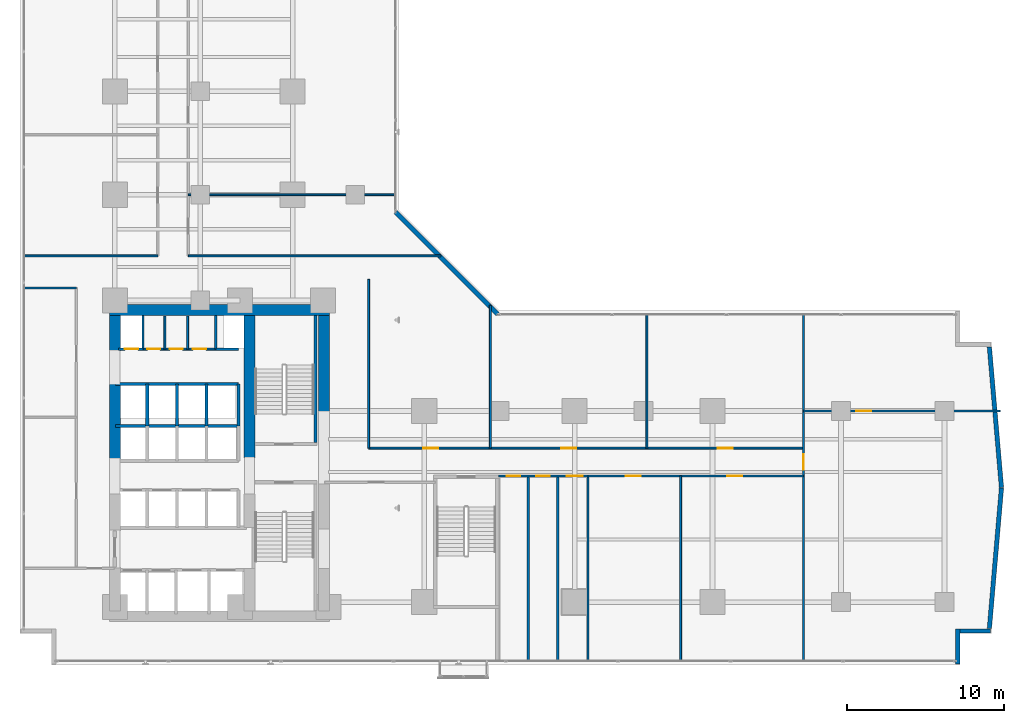
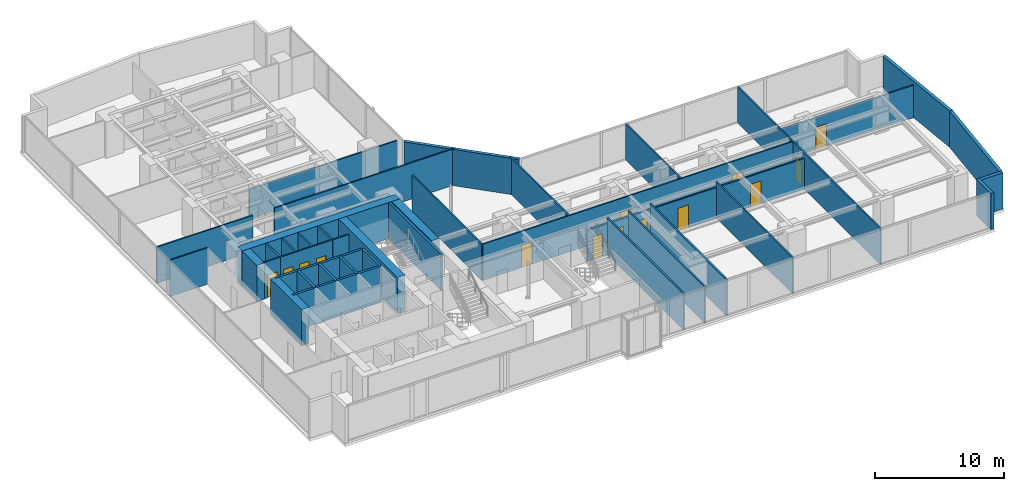
# One storey, part 23 of 28: 40 walls, 14 doors, 14 openings.
"""IFC4 building model written with IfcOpenShell, lengths in metres."""

from ifc_helpers import new_model, si_unit, direction, frame, frame_2d, origin, place, context, subcontext, project, spatial, rectangle, extrude, material, layer, layer_set, type_object, element, fill, save


model = new_model("IFC4")

# Units and contexts
model_context = context("Model", 3, precision=1e-05, world=origin(), true_north=direction((0.0, 1.0)))
body_context = subcontext(model_context, "Body", "Model", "MODEL_VIEW")
ifc_project = project(units=[si_unit("LENGTHUNIT", "METRE"), si_unit("AREAUNIT", "SQUARE_METRE"), si_unit("VOLUMEUNIT", "CUBIC_METRE"), si_unit("PLANEANGLEUNIT", "RADIAN"), si_unit("MASSUNIT", "GRAM", prefix="KILO")], contexts=[model_context])

# Site, building, storey
site_placement = place(None, origin())
site = spatial("IfcSite", under=ifc_project, at=site_placement, CompositionType="ELEMENT")
building_placement = place(site_placement, origin())
building = spatial("IfcBuilding", under=site, at=building_placement, Name="Kolvaren Waterfront Exchange", CompositionType="ELEMENT")
storey_placement = place(building_placement, frame((0.0, 0.0, 79.0)))
storey = spatial("IfcBuildingStorey", under=building, at=storey_placement, Name="L20", CompositionType="ELEMENT", Elevation=79.0)

# Walls
ifc_material_1 = material(Name="Precast concrete C40/50", Category="concrete")
ifc_layer_1 = layer(ifc_material_1, 0.280029296875, Name="Precast concrete C40/50")
ifc_layer_set_1 = layer_set([ifc_layer_1], Name="Precast concrete C40/50")
wall_type_1 = type_object("IfcWallType", Name="ARC-EXT-TERR-280", PredefinedType="SOLIDWALL", material=ifc_layer_set_1)
wall_1_placement = place(storey_placement, frame((61.239990234375, 1.260009765625, 0.0), z_axis=(0.0, 0.0, 1.0), x_axis=(0.0, 1.0, 0.0)))
element("IfcWall", 1, at=wall_1_placement, inside=storey, type_object=wall_type_1, Name="L20 notched corner spandrel pier SE-A", PredefinedType="SOLIDWALL", context=body_context, shape_type="SweptSolid", body=[
    extrude(rectangle(XDim=2.239990234375, YDim=0.280029296875, at=frame_2d((1.1201171875, 0.0))), origin(), (0.0, 0.0, 1.0), 3.419921875),
])
wall_2_placement = place(storey_placement, frame((61.3798828125, 3.360107421875, 0.0), z_axis=(0.0, 0.0, 1.0), x_axis=(1.0, 0.0, 0.0)))
element("IfcWall", 2, at=wall_2_placement, inside=storey, type_object=wall_type_1, Name="L20 notched corner spandrel pier SE-B", PredefinedType="SOLIDWALL", context=body_context, shape_type="SweptSolid", body=[
    extrude(rectangle(XDim=1.960205078125, YDim=0.280029296875, at=frame_2d((0.97998046875, 0.0))), origin(), (0.0, 0.0, 1.0), 3.419921875),
])
wall_3_placement = place(storey_placement, frame((31.885009765625, 23.574951171875, 0.0), z_axis=(0.0, 0.0, 1.0), x_axis=(-0.707106781187, 0.707106781187, 0.0)))
element("IfcWall", 3, at=wall_3_placement, inside=storey, type_object=wall_type_1, Name="L20 notched corner spandrel pier ELBOW", PredefinedType="SOLIDWALL", context=body_context, shape_type="SweptSolid", body=[
    extrude(rectangle(XDim=9.20654296875, YDim=0.280029296875, at=frame_2d((4.603271484375, 0.0))), origin(), (0.0, 0.0, 1.0), 3.419921875),
])
for number, where, z_axis, x_axis, name in (
    (4, (63.266357421875, 3.5126953125, 0.0), (0.0, 0.0, 1.0), (0.085692274626, 0.996321651912, 0.0), "L20 east prow faceted facade wall 1"),
    (5, (64.038818359375, 12.506103515625, 0.0), (0.0, 0.0, 1.0), (-0.085692274626, 0.996321651912, 0.0), "L20 east prow faceted facade wall 2"),
):
    element("IfcWall", number, at=place(storey_placement, frame(where, z_axis=z_axis, x_axis=x_axis)), inside=storey, type_object=wall_type_1, Name=name, PredefinedType="SOLIDWALL", context=body_context, shape_type="SweptSolid", body=[
        extrude(rectangle(XDim=9.014404296875, YDim=0.280029296875, at=frame_2d((4.50732421875, 0.0))), origin(), (0.0, 0.0, 1.0), 3.419921875),
    ])

# Wall, openings, doors
ifc_material_2 = material(Name="Acoustic gypsum steel stud", Category="steel")
ifc_layer_2 = layer(ifc_material_2, 0.125, Name="Acoustic gypsum steel stud")
ifc_layer_set_2 = layer_set([ifc_layer_2], Name="Acoustic gypsum steel stud")
wall_type_2 = type_object("IfcWallType", Name="ARC-PART-125", PredefinedType="PARTITIONING", material=ifc_layer_set_2)
wall_4_placement = place(storey_placement, frame((9.25, 21.35009765625, 0.0), z_axis=(0.0, 0.0, 1.0), x_axis=(1.0, 0.0, 0.0)))
wall_4 = element("IfcWall", 6, at=wall_4_placement, inside=storey, type_object=wall_type_2, Name="L20 interior wall PW-L20-SVC-EX-S", PredefinedType="PARTITIONING", context=body_context, shape_type="SweptSolid", body=[
    extrude(rectangle(XDim=4.64990234375, YDim=0.125, at=frame_2d((2.324951171875, 0.0))), origin(), (0.0, 0.0, 1.0), 3.419921875),
])
opening_1_placement = place(wall_4_placement, frame((0.264892578125, 0.0, 0.0)))
opening_1 = element("IfcOpeningElement", 7, at=opening_1_placement, cuts=wall_4, Name="Opening D01", PredefinedType="OPENING", context=body_context, shape_type="SweptSolid", body=[
    extrude(rectangle(XDim=0.85009765625, YDim=2.14990234375, at=frame_2d((0.425048828125, 1.074951171875))), frame((0.0, 0.072509765625, 0.0), z_axis=(0.0, -1.0, 0.0), x_axis=(1.0, 0.0, 0.0)), (0.0, 0.0, 1.0), 0.14501953125),
])
opening_2_placement = place(wall_4_placement, frame((1.695068359375, 0.0, 0.0)))
opening_2 = element("IfcOpeningElement", 8, at=opening_2_placement, cuts=wall_4, Name="Opening D01", PredefinedType="OPENING", context=body_context, shape_type="SweptSolid", body=[
    extrude(rectangle(XDim=0.85009765625, YDim=2.14990234375, at=frame_2d((0.425048828125, 1.074951171875))), frame((0.0, 0.072509765625, 0.0), z_axis=(0.0, -1.0, 0.0), x_axis=(1.0, 0.0, 0.0)), (0.0, 0.0, 1.0), 0.14501953125),
])
opening_3_placement = place(wall_4_placement, frame((3.18994140625, 0.0, 0.0)))
opening_3 = element("IfcOpeningElement", 9, at=opening_3_placement, cuts=wall_4, Name="Opening D01", PredefinedType="OPENING", context=body_context, shape_type="SweptSolid", body=[
    extrude(rectangle(XDim=0.85009765625, YDim=2.14990234375, at=frame_2d((0.425048828125, 1.074951171875))), frame((0.0, 0.072509765625, 0.0), z_axis=(0.0, -1.0, 0.0), x_axis=(1.0, 0.0, 0.0)), (0.0, 0.0, 1.0), 0.14501953125),
])
ifc_material_3 = material(Name="Oak veneer timber leaf", Category="wood")
door_type_1 = type_object("IfcDoorType", Name="ARC-DR-900", OperationType="NOTDEFINED", PredefinedType="DOOR", material=ifc_material_3)
door_1_placement = place(opening_1_placement, origin())
door_1 = element("IfcDoor", 10, at=door_1_placement, inside=storey, type_object=door_type_1, Name="L20 door DR-L20-SVC-DR-1 (D01)", OperationType="SINGLE_SWING_RIGHT", OverallHeight=2.14990234375, OverallWidth=0.85009765625, PredefinedType="DOOR", context=body_context, shape_type="SweptSolid", body=[
    extrude(rectangle(XDim=0.85009765625, YDim=2.14990234375, at=frame_2d((0.425048828125, 1.074951171875))), frame((0.0, 0.02490234375, 0.0), z_axis=(0.0, -1.0, 0.0), x_axis=(1.0, 0.0, 0.0)), (0.0, 0.0, 1.0), 0.050048828125),
])
fill(opening_1, door_1)
door_2_placement = place(opening_2_placement, origin())
door_2 = element("IfcDoor", 11, at=door_2_placement, inside=storey, type_object=door_type_1, Name="L20 door DR-L20-SVC-DR-2 (D01)", OperationType="SINGLE_SWING_LEFT", OverallHeight=2.14990234375, OverallWidth=0.85009765625, PredefinedType="DOOR", context=body_context, shape_type="SweptSolid", body=[
    extrude(rectangle(XDim=0.85009765625, YDim=2.14990234375, at=frame_2d((0.425048828125, 1.074951171875))), frame((0.0, 0.02490234375, 0.0), z_axis=(0.0, -1.0, 0.0), x_axis=(1.0, 0.0, 0.0)), (0.0, 0.0, 1.0), 0.050048828125),
])
fill(opening_2, door_2)
door_3_placement = place(opening_3_placement, origin())
door_3 = element("IfcDoor", 12, at=door_3_placement, inside=storey, type_object=door_type_1, Name="L20 door DR-L20-SVC-DR-3 (D01)", OperationType="SINGLE_SWING_RIGHT", OverallHeight=2.14990234375, OverallWidth=0.85009765625, PredefinedType="DOOR", context=body_context, shape_type="SweptSolid", body=[
    extrude(rectangle(XDim=0.85009765625, YDim=2.14990234375, at=frame_2d((0.425048828125, 1.074951171875))), frame((0.0, 0.02490234375, 0.0), z_axis=(0.0, -1.0, 0.0), x_axis=(1.0, 0.0, 0.0)), (0.0, 0.0, 1.0), 0.050048828125),
])
fill(opening_3, door_3)

# Walls
for number, where, z_axis, x_axis, name in (
    (13, (10.64990234375, 21.35009765625, 0.0), (0.0, 0.0, 1.0), (0.0, 1.0, 0.0), "L20 interior wall PW-L20-SVC-EX-A"),
    (14, (12.10009765625, 21.35009765625, 0.0), (0.0, 0.0, 1.0), (0.0, 1.0, 0.0), "L20 interior wall PW-L20-SVC-EX-B"),
):
    element("IfcWall", number, at=place(storey_placement, frame(where, z_axis=z_axis, x_axis=x_axis)), inside=storey, type_object=wall_type_2, Name=name, PredefinedType="PARTITIONING", context=body_context, shape_type="SweptSolid", body=[
        extrude(rectangle(XDim=2.099853515625, YDim=0.125, at=frame_2d((1.0498046875, 0.0))), origin(), (0.0, 0.0, 1.0), 3.419921875),
    ])
wall_5_placement = place(storey_placement, frame((1.639892578125, 25.25, 0.0), z_axis=(0.0, 0.0, 1.0), x_axis=(1.0, 0.0, 0.0)))
element("IfcWall", 15, at=wall_5_placement, inside=storey, type_object=wall_type_2, Name="L20 interior wall PW-L20-WFLANK-N", PredefinedType="PARTITIONING", context=body_context, shape_type="SweptSolid", body=[
    extrude(rectangle(XDim=3.360107421875, YDim=0.125, at=frame_2d((1.68017578125, 0.0))), origin(), (0.0, 0.0, 1.0), 3.419921875),
])

# Wall, openings, doors
wall_6_placement = place(storey_placement, frame((37.64990234375, 13.25, 0.0), z_axis=(0.0, 0.0, 1.0), x_axis=(1.0, 0.0, 0.0)))
wall_6 = element("IfcWall", 16, at=wall_6_placement, inside=storey, type_object=wall_type_2, Name="L20 interior wall PW-L20-ES-CORR", PredefinedType="PARTITIONING", context=body_context, shape_type="SweptSolid", body=[
    extrude(rectangle(XDim=13.75, YDim=0.125, at=frame_2d((6.875, 0.0))), origin(), (0.0, 0.0, 1.0), 2.919921875),
])
opening_4_placement = place(wall_6_placement, frame((2.408203125, 0.0, 0.0)))
opening_4 = element("IfcOpeningElement", 17, at=opening_4_placement, cuts=wall_6, Name="Opening D02", PredefinedType="OPENING", context=body_context, shape_type="SweptSolid", body=[
    extrude(rectangle(XDim=0.949951171875, YDim=2.14990234375, at=frame_2d((0.47509765625, 1.074951171875))), frame((0.0, 0.072509765625, 0.0), z_axis=(0.0, -1.0, 0.0), x_axis=(1.0, 0.0, 0.0)), (0.0, 0.0, 1.0), 0.14501953125),
])
opening_5_placement = place(wall_6_placement, frame((8.8798828125, 0.0, 0.0)))
opening_5 = element("IfcOpeningElement", 18, at=opening_5_placement, cuts=wall_6, Name="Opening D02", PredefinedType="OPENING", context=body_context, shape_type="SweptSolid", body=[
    extrude(rectangle(XDim=0.949951171875, YDim=2.14990234375, at=frame_2d((0.47509765625, 1.074951171875))), frame((0.0, 0.072509765625, 0.0), z_axis=(0.0, -1.0, 0.0), x_axis=(1.0, 0.0, 0.0)), (0.0, 0.0, 1.0), 0.14501953125),
])
ifc_material_4 = material(Name="Oak veneer acoustic timber", Category="wood")
door_type_2 = type_object("IfcDoorType", Name="ARC-DR-950", OperationType="NOTDEFINED", PredefinedType="DOOR", material=ifc_material_4)
door_4_placement = place(opening_4_placement, origin())
door_4 = element("IfcDoor", 19, at=door_4_placement, inside=storey, type_object=door_type_2, Name="L20 door DR-L20-ES-D-1 (D02)", OperationType="SINGLE_SWING_RIGHT", OverallHeight=2.14990234375, OverallWidth=0.949951171875, PredefinedType="DOOR", context=body_context, shape_type="SweptSolid", body=[
    extrude(rectangle(XDim=0.949951171875, YDim=2.14990234375, at=frame_2d((0.47509765625, 1.074951171875))), frame((0.0, 0.02490234375, 0.0), z_axis=(0.0, -1.0, 0.0), x_axis=(1.0, 0.0, 0.0)), (0.0, 0.0, 1.0), 0.050048828125),
])
fill(opening_4, door_4)
door_5_placement = place(opening_5_placement, origin())
door_5 = element("IfcDoor", 20, at=door_5_placement, inside=storey, type_object=door_type_2, Name="L20 door DR-L20-ES-D-2 (D02)", OperationType="SINGLE_SWING_LEFT", OverallHeight=2.14990234375, OverallWidth=0.949951171875, PredefinedType="DOOR", context=body_context, shape_type="SweptSolid", body=[
    extrude(rectangle(XDim=0.949951171875, YDim=2.14990234375, at=frame_2d((0.47509765625, 1.074951171875))), frame((0.0, 0.02490234375, 0.0), z_axis=(0.0, -1.0, 0.0), x_axis=(1.0, 0.0, 0.0)), (0.0, 0.0, 1.0), 0.050048828125),
])
fill(opening_5, door_5)

# Wall
wall_7_placement = place(storey_placement, frame((43.56005859375, 1.43994140625, 0.0), z_axis=(0.0, 0.0, 1.0), x_axis=(0.0, 1.0, 0.0)))
element("IfcWall", 21, at=wall_7_placement, inside=storey, type_object=wall_type_2, Name="L20 interior wall PW-L20-ES-DIV-1", PredefinedType="PARTITIONING", context=body_context, shape_type="SweptSolid", body=[
    extrude(rectangle(XDim=11.81005859375, YDim=0.125, at=frame_2d((5.905029296875, 0.0))), origin(), (0.0, 0.0, 1.0), 3.419921875),
])

# Wall, opening, door
wall_8_placement = place(storey_placement, frame((51.39990234375, 1.43994140625, 0.0), z_axis=(0.0, 0.0, 1.0), x_axis=(0.0, 1.0, 0.0)))
wall_8 = element("IfcWall", 22, at=wall_8_placement, inside=storey, type_object=wall_type_2, Name="L20 interior wall PW-L20-ETIP-W", PredefinedType="PARTITIONING", context=body_context, shape_type="SweptSolid", body=[
    extrude(rectangle(XDim=22.1201171875, YDim=0.125, at=frame_2d((11.06005859375, 0.0))), origin(), (0.0, 0.0, 1.0), 3.419921875),
])
opening_6_placement = place(wall_8_placement, frame((12.199951171875, 0.0, 0.0)))
opening_6 = element("IfcOpeningElement", 23, at=opening_6_placement, cuts=wall_8, Name="Opening D03", PredefinedType="OPENING", context=body_context, shape_type="SweptSolid", body=[
    extrude(rectangle(XDim=1.0, YDim=2.199951171875, at=frame_2d((0.5, 1.10009765625))), frame((0.0, 0.072509765625, 0.0), z_axis=(0.0, -1.0, 0.0), x_axis=(1.0, 0.0, 0.0)), (0.0, 0.0, 1.0), 0.14501953125),
])
ifc_material_5 = material(Name="Oak veneer accessible timber", Category="wood")
door_type_3 = type_object("IfcDoorType", Name="ARC-DR-1000", OperationType="NOTDEFINED", PredefinedType="DOOR", material=ifc_material_5)
door_6_placement = place(opening_6_placement, origin())
door_6 = element("IfcDoor", 24, at=door_6_placement, inside=storey, type_object=door_type_3, Name="L20 door DR-L20-ETIP1-D (D03)", OperationType="SINGLE_SWING_RIGHT", OverallHeight=2.199951171875, OverallWidth=1.0, PredefinedType="DOOR", context=body_context, shape_type="SweptSolid", body=[
    extrude(rectangle(XDim=1.0, YDim=2.199951171875, at=frame_2d((0.5, 1.10009765625))), frame((0.0, 0.02490234375, 0.0), z_axis=(0.0, -1.0, 0.0), x_axis=(1.0, 0.0, 0.0)), (0.0, 0.0, 1.0), 0.050048828125),
])
fill(opening_6, door_6)

wall_9_placement = place(storey_placement, frame((51.39990234375, 17.39990234375, 0.0), z_axis=(0.0, 0.0, 1.0), x_axis=(1.0, 0.0, 0.0)))
wall_9 = element("IfcWall", 25, at=wall_9_placement, inside=storey, type_object=wall_type_2, Name="L20 interior wall PW-L20-ETIP-MID", PredefinedType="PARTITIONING", context=body_context, shape_type="SweptSolid", body=[
    extrude(rectangle(XDim=12.56005859375, YDim=0.125, at=frame_2d((6.280029296875, 0.0))), origin(), (0.0, 0.0, 1.0), 3.06005859375),
])
opening_7_placement = place(wall_9_placement, frame((3.381103515625, 0.0, 0.0)))
opening_7 = element("IfcOpeningElement", 26, at=opening_7_placement, cuts=wall_9, Name="Opening D02", PredefinedType="OPENING", context=body_context, shape_type="SweptSolid", body=[
    extrude(rectangle(XDim=0.949951171875, YDim=2.14990234375, at=frame_2d((0.47509765625, 1.074951171875))), frame((0.0, 0.072509765625, 0.0), z_axis=(0.0, -1.0, 0.0), x_axis=(1.0, 0.0, 0.0)), (0.0, 0.0, 1.0), 0.14501953125),
])
door_7_placement = place(opening_7_placement, origin())
door_7 = element("IfcDoor", 27, at=door_7_placement, inside=storey, type_object=door_type_2, Name="L20 door DR-L20-ETIP2-D (D02)", OperationType="SINGLE_SWING_LEFT", OverallHeight=2.14990234375, OverallWidth=0.949951171875, PredefinedType="DOOR", context=body_context, shape_type="SweptSolid", body=[
    extrude(rectangle(XDim=0.949951171875, YDim=2.14990234375, at=frame_2d((0.47509765625, 1.074951171875))), frame((0.0, 0.02490234375, 0.0), z_axis=(0.0, -1.0, 0.0), x_axis=(1.0, 0.0, 0.0)), (0.0, 0.0, 1.0), 0.050048828125),
])
fill(opening_7, door_7)

# Wall
wall_10_placement = place(storey_placement, frame((23.64990234375, 15.030029296875, 0.0), z_axis=(0.0, 0.0, 1.0), x_axis=(0.0, 1.0, 0.0)))
element("IfcWall", 28, at=wall_10_placement, inside=storey, type_object=wall_type_2, Name="L20 interior wall PW-L20-EN-W0", PredefinedType="PARTITIONING", context=body_context, shape_type="SweptSolid", body=[
    extrude(rectangle(XDim=10.77001953125, YDim=0.125, at=frame_2d((5.385009765625, 0.0))), origin(), (0.0, 0.0, 1.0), 3.419921875),
])

# Wall, openings, doors
wall_11_placement = place(storey_placement, frame((23.64990234375, 15.030029296875, 0.0), z_axis=(0.0, 0.0, 1.0), x_axis=(1.0, 0.0, 0.0)))
wall_11 = element("IfcWall", 29, at=wall_11_placement, inside=storey, type_object=wall_type_2, Name="L20 interior wall PW-L20-EN-CORR", PredefinedType="PARTITIONING", context=body_context, shape_type="SweptSolid", body=[
    extrude(rectangle(XDim=27.75, YDim=0.125, at=frame_2d((13.875, 0.0))), origin(), (0.0, 0.0, 1.0), 3.419921875),
])
opening_8_placement = place(wall_11_placement, frame((3.47998046875, 0.0, 0.0)))
opening_8 = element("IfcOpeningElement", 30, at=opening_8_placement, cuts=wall_11, Name="Opening D02", PredefinedType="OPENING", context=body_context, shape_type="SweptSolid", body=[
    extrude(rectangle(XDim=0.949951171875, YDim=2.14990234375, at=frame_2d((0.47509765625, 1.074951171875))), frame((0.0, 0.072509765625, 0.0), z_axis=(0.0, -1.0, 0.0), x_axis=(1.0, 0.0, 0.0)), (0.0, 0.0, 1.0), 0.14501953125),
])
opening_9_placement = place(wall_11_placement, frame((12.2900390625, 0.0, 0.0)))
opening_9 = element("IfcOpeningElement", 31, at=opening_9_placement, cuts=wall_11, Name="Opening D02", PredefinedType="OPENING", context=body_context, shape_type="SweptSolid", body=[
    extrude(rectangle(XDim=0.949951171875, YDim=2.14990234375, at=frame_2d((0.47509765625, 1.074951171875))), frame((0.0, 0.072509765625, 0.0), z_axis=(0.0, -1.0, 0.0), x_axis=(1.0, 0.0, 0.0)), (0.0, 0.0, 1.0), 0.14501953125),
])
opening_10_placement = place(wall_11_placement, frame((22.280029296875, 0.0, 0.0)))
opening_10 = element("IfcOpeningElement", 32, at=opening_10_placement, cuts=wall_11, Name="Opening D02", PredefinedType="OPENING", context=body_context, shape_type="SweptSolid", body=[
    extrude(rectangle(XDim=0.949951171875, YDim=2.14990234375, at=frame_2d((0.47509765625, 1.074951171875))), frame((0.0, 0.072509765625, 0.0), z_axis=(0.0, -1.0, 0.0), x_axis=(1.0, 0.0, 0.0)), (0.0, 0.0, 1.0), 0.14501953125),
])
door_8_placement = place(opening_8_placement, origin())
door_8 = element("IfcDoor", 33, at=door_8_placement, inside=storey, type_object=door_type_2, Name="L20 door DR-L20-EN-D-1 (D02)", OperationType="SINGLE_SWING_RIGHT", OverallHeight=2.14990234375, OverallWidth=0.949951171875, PredefinedType="DOOR", context=body_context, shape_type="SweptSolid", body=[
    extrude(rectangle(XDim=0.949951171875, YDim=2.14990234375, at=frame_2d((0.47509765625, 1.074951171875))), frame((0.0, 0.02490234375, 0.0), z_axis=(0.0, -1.0, 0.0), x_axis=(1.0, 0.0, 0.0)), (0.0, 0.0, 1.0), 0.050048828125),
])
fill(opening_8, door_8)
door_9_placement = place(opening_9_placement, origin())
door_9 = element("IfcDoor", 34, at=door_9_placement, inside=storey, type_object=door_type_2, Name="L20 door DR-L20-EN-D-2 (D02)", OperationType="SINGLE_SWING_LEFT", OverallHeight=2.14990234375, OverallWidth=0.949951171875, PredefinedType="DOOR", context=body_context, shape_type="SweptSolid", body=[
    extrude(rectangle(XDim=0.949951171875, YDim=2.14990234375, at=frame_2d((0.47509765625, 1.074951171875))), frame((0.0, 0.02490234375, 0.0), z_axis=(0.0, -1.0, 0.0), x_axis=(1.0, 0.0, 0.0)), (0.0, 0.0, 1.0), 0.050048828125),
])
fill(opening_9, door_9)
door_10_placement = place(opening_10_placement, origin())
door_10 = element("IfcDoor", 35, at=door_10_placement, inside=storey, type_object=door_type_2, Name="L20 door DR-L20-EN-D-3 (D02)", OperationType="SINGLE_SWING_RIGHT", OverallHeight=2.14990234375, OverallWidth=0.949951171875, PredefinedType="DOOR", context=body_context, shape_type="SweptSolid", body=[
    extrude(rectangle(XDim=0.949951171875, YDim=2.14990234375, at=frame_2d((0.47509765625, 1.074951171875))), frame((0.0, 0.02490234375, 0.0), z_axis=(0.0, -1.0, 0.0), x_axis=(1.0, 0.0, 0.0)), (0.0, 0.0, 1.0), 0.050048828125),
])
fill(opening_10, door_10)

# Walls
wall_12_placement = place(storey_placement, frame((31.419921875, 15.030029296875, 0.0), z_axis=(0.0, 0.0, 1.0), x_axis=(0.0, 1.0, 0.0)))
element("IfcWall", 36, at=wall_12_placement, inside=storey, type_object=wall_type_2, Name="L20 interior wall PW-L20-EN-DIV-1", PredefinedType="PARTITIONING", context=body_context, shape_type="SweptSolid", body=[
    extrude(rectangle(XDim=9.10986328125, YDim=0.125, at=frame_2d((4.554931640625, 0.0))), origin(), (0.0, 0.0, 1.0), 3.419921875),
])
wall_13_placement = place(storey_placement, frame((41.409912109375, 15.030029296875, 0.0), z_axis=(0.0, 0.0, 1.0), x_axis=(0.0, 1.0, 0.0)))
element("IfcWall", 37, at=wall_13_placement, inside=storey, type_object=wall_type_2, Name="L20 interior wall PW-L20-EN-DIV-2", PredefinedType="PARTITIONING", context=body_context, shape_type="SweptSolid", body=[
    extrude(rectangle(XDim=8.530029296875, YDim=0.125, at=frame_2d((4.26513671875, 0.0))), origin(), (0.0, 0.0, 1.0), 3.419921875),
])
wall_14_placement = place(storey_placement, frame((1.639892578125, 27.300048828125, 0.0), z_axis=(0.0, 0.0, 1.0), x_axis=(1.0, 0.0, 0.0)))
element("IfcWall", 38, at=wall_14_placement, inside=storey, type_object=wall_type_2, Name="L20 interior wall PW-L20-NW-S0", PredefinedType="PARTITIONING", context=body_context, shape_type="SweptSolid", body=[
    extrude(rectangle(XDim=8.56005859375, YDim=0.125, at=frame_2d((4.280029296875, 0.0))), origin(), (0.0, 0.0, 1.0), 3.419921875),
])
wall_15_placement = place(storey_placement, frame((12.139892578125, 27.300048828125, 0.0), z_axis=(0.0, 0.0, 1.0), x_axis=(1.0, 0.0, 0.0)))
element("IfcWall", 39, at=wall_15_placement, inside=storey, type_object=wall_type_2, Name="L20 interior wall PW-L20-NE-S0", PredefinedType="PARTITIONING", context=body_context, shape_type="SweptSolid", body=[
    extrude(rectangle(XDim=16.1201171875, YDim=0.125, at=frame_2d((8.06005859375, 0.0))), origin(), (0.0, 0.0, 1.0), 3.419921875),
])
wall_16_placement = place(storey_placement, frame((12.139892578125, 31.199951171875, 0.0), z_axis=(0.0, 0.0, 1.0), x_axis=(1.0, 0.0, 0.0)))
element("IfcWall", 40, at=wall_16_placement, inside=storey, type_object=wall_type_2, Name="L20 interior wall PW-L20-NE-DIV-1", PredefinedType="PARTITIONING", context=body_context, shape_type="SweptSolid", body=[
    extrude(rectangle(XDim=13.22021484375, YDim=0.125, at=frame_2d((6.610107421875, 0.0))), origin(), (0.0, 0.0, 1.0), 2.820068359375),
])
ifc_material_6 = material(Name="Gypsum fireboard steel stud", Category="steel")
ifc_layer_3 = layer(ifc_material_6, 0.14990234375, Name="Gypsum fireboard steel stud")
ifc_layer_set_3 = layer_set([ifc_layer_3], Name="Gypsum fireboard steel stud")
wall_type_3 = type_object("IfcWallType", Name="ARC-PART-150", PredefinedType="PARTITIONING", material=ifc_layer_set_3)
for number, where, z_axis, x_axis, name in (
    (41, (9.25, 21.35009765625, 0.0), (0.0, 0.0, 1.0), (0.0, 1.0, 0.0), "L20 interior wall PW-L20-SVC-R1"),
    (42, (13.89990234375, 21.35009765625, 0.0), (0.0, 0.0, 1.0), (0.0, 1.0, 0.0), "L20 interior wall PW-L20-SVC-R2"),
):
    element("IfcWall", number, at=place(storey_placement, frame(where, z_axis=z_axis, x_axis=x_axis)), inside=storey, type_object=wall_type_3, Name=name, PredefinedType="PARTITIONING", context=body_context, shape_type="SweptSolid", body=[
        extrude(rectangle(XDim=2.1298828125, YDim=0.14990234375, at=frame_2d((1.06494140625, 0.0))), origin(), (0.0, 0.0, 1.0), 3.419921875),
    ])

# Wall, opening, door
wall_17_placement = place(storey_placement, frame((7.699951171875, 21.35009765625, 0.0), z_axis=(0.0, 0.0, 1.0), x_axis=(1.0, 0.0, 0.0)))
wall_17 = element("IfcWall", 43, at=wall_17_placement, inside=storey, type_object=wall_type_3, Name="L20 interior wall PW-L20-SVC-RE-S", PredefinedType="PARTITIONING", context=body_context, shape_type="SweptSolid", body=[
    extrude(rectangle(XDim=1.550048828125, YDim=0.14990234375, at=frame_2d((0.77490234375, 0.0))), origin(), (0.0, 0.0, 1.0), 3.419921875),
])
opening_11_placement = place(wall_17_placement, frame((0.389892578125, 0.0, 0.0)))
opening_11 = element("IfcOpeningElement", 44, at=opening_11_placement, cuts=wall_17, Name="Opening FD1", PredefinedType="OPENING", context=body_context, shape_type="SweptSolid", body=[
    extrude(rectangle(XDim=0.85009765625, YDim=2.14990234375, at=frame_2d((0.425048828125, 1.074951171875))), frame((0.0, 0.0849609375, 0.0), z_axis=(0.0, -1.0, 0.0), x_axis=(1.0, 0.0, 0.0)), (0.0, 0.0, 1.0), 0.169921875),
])
ifc_material_7 = material(Name="Pressed steel fire leaf", Category="steel")
door_type_4 = type_object("IfcDoorType", Name="ARC-FD-900", OperationType="NOTDEFINED", PredefinedType="DOOR", material=ifc_material_7)
door_11_placement = place(opening_11_placement, origin())
door_11 = element("IfcDoor", 45, at=door_11_placement, inside=storey, type_object=door_type_4, Name="L20 door DR-L20-RISER-E-DR (FD1)", OperationType="SINGLE_SWING_LEFT", OverallHeight=2.14990234375, OverallWidth=0.85009765625, PredefinedType="DOOR", context=body_context, shape_type="SweptSolid", body=[
    extrude(rectangle(XDim=0.85009765625, YDim=2.14990234375, at=frame_2d((0.425048828125, 1.074951171875))), frame((0.0, 0.02490234375, 0.0), z_axis=(0.0, -1.0, 0.0), x_axis=(1.0, 0.0, 0.0)), (0.0, 0.0, 1.0), 0.050048828125),
])
fill(opening_11, door_11)

# Wall
wall_18_placement = place(storey_placement, frame((13.89990234375, 21.35009765625, 0.0), z_axis=(0.0, 0.0, 1.0), x_axis=(1.0, 0.0, 0.0)))
element("IfcWall", 46, at=wall_18_placement, inside=storey, type_object=wall_type_3, Name="L20 interior wall PW-L20-SVC-RP-S", PredefinedType="PARTITIONING", context=body_context, shape_type="SweptSolid", body=[
    extrude(rectangle(XDim=1.4501953125, YDim=0.14990234375, at=frame_2d((0.72509765625, 0.0))), origin(), (0.0, 0.0, 1.0), 3.419921875),
])

# Wall, openings, doors
ifc_material_8 = material(Name="Moisture-resistant gypsum stud")
ifc_layer_4 = layer(ifc_material_8, 0.14990234375, Name="Moisture-resistant gypsum stud")
ifc_layer_set_4 = layer_set([ifc_layer_4], Name="Moisture-resistant gypsum stud")
wall_type_4 = type_object("IfcWallType", Name="ARC-PLUMB-150", PredefinedType="PLUMBINGWALL", material=ifc_layer_set_4)
wall_19_placement = place(storey_placement, frame((31.949951171875, 13.25, 0.0), z_axis=(0.0, 0.0, 1.0), x_axis=(1.0, 0.0, 0.0)))
wall_19 = element("IfcWall", 47, at=wall_19_placement, inside=storey, type_object=wall_type_4, Name="L20 interior wall PW-L20-WC-N", PredefinedType="PLUMBINGWALL", context=body_context, shape_type="SweptSolid", body=[
    extrude(rectangle(XDim=5.699951171875, YDim=0.14990234375, at=frame_2d((2.85009765625, 0.0))), origin(), (0.0, 0.0, 1.0), 2.919921875),
])
opening_12_placement = place(wall_19_placement, frame((0.514892578125, 0.0, 0.0)))
opening_12 = element("IfcOpeningElement", 48, at=opening_12_placement, cuts=wall_19, Name="Opening D01", PredefinedType="OPENING", context=body_context, shape_type="SweptSolid", body=[
    extrude(rectangle(XDim=0.85009765625, YDim=2.14990234375, at=frame_2d((0.425048828125, 1.074951171875))), frame((0.0, 0.0849609375, 0.0), z_axis=(0.0, -1.0, 0.0), x_axis=(1.0, 0.0, 0.0)), (0.0, 0.0, 1.0), 0.169921875),
])
opening_13_placement = place(wall_19_placement, frame((2.39501953125, 0.0, 0.0)))
opening_13 = element("IfcOpeningElement", 49, at=opening_13_placement, cuts=wall_19, Name="Opening D01", PredefinedType="OPENING", context=body_context, shape_type="SweptSolid", body=[
    extrude(rectangle(XDim=0.85009765625, YDim=2.14990234375, at=frame_2d((0.425048828125, 1.074951171875))), frame((0.0, 0.0849609375, 0.0), z_axis=(0.0, -1.0, 0.0), x_axis=(1.0, 0.0, 0.0)), (0.0, 0.0, 1.0), 0.169921875),
])
opening_14_placement = place(wall_19_placement, frame((4.35009765625, 0.0, 0.0)))
opening_14 = element("IfcOpeningElement", 50, at=opening_14_placement, cuts=wall_19, Name="Opening D03", PredefinedType="OPENING", context=body_context, shape_type="SweptSolid", body=[
    extrude(rectangle(XDim=1.0, YDim=2.199951171875, at=frame_2d((0.5, 1.10009765625))), frame((0.0, 0.0849609375, 0.0), z_axis=(0.0, -1.0, 0.0), x_axis=(1.0, 0.0, 0.0)), (0.0, 0.0, 1.0), 0.169921875),
])
door_12_placement = place(opening_14_placement, origin())
door_12 = element("IfcDoor", 51, at=door_12_placement, inside=storey, type_object=door_type_3, Name="L20 door DR-L20-WCA-D (D03)", OperationType="SINGLE_SWING_LEFT", OverallHeight=2.199951171875, OverallWidth=1.0, PredefinedType="DOOR", context=body_context, shape_type="SweptSolid", body=[
    extrude(rectangle(XDim=1.0, YDim=2.199951171875, at=frame_2d((0.5, 1.10009765625))), frame((0.0, 0.02490234375, 0.0), z_axis=(0.0, -1.0, 0.0), x_axis=(1.0, 0.0, 0.0)), (0.0, 0.0, 1.0), 0.050048828125),
])
fill(opening_14, door_12)
door_13_placement = place(opening_12_placement, origin())
door_13 = element("IfcDoor", 52, at=door_13_placement, inside=storey, type_object=door_type_1, Name="L20 door DR-L20-WCM-D (D01)", OperationType="SINGLE_SWING_LEFT", OverallHeight=2.14990234375, OverallWidth=0.85009765625, PredefinedType="DOOR", context=body_context, shape_type="SweptSolid", body=[
    extrude(rectangle(XDim=0.85009765625, YDim=2.14990234375, at=frame_2d((0.425048828125, 1.074951171875))), frame((0.0, 0.02490234375, 0.0), z_axis=(0.0, -1.0, 0.0), x_axis=(1.0, 0.0, 0.0)), (0.0, 0.0, 1.0), 0.050048828125),
])
fill(opening_12, door_13)
door_14_placement = place(opening_13_placement, origin())
door_14 = element("IfcDoor", 53, at=door_14_placement, inside=storey, type_object=door_type_1, Name="L20 door DR-L20-WCF-D (D01)", OperationType="SINGLE_SWING_RIGHT", OverallHeight=2.14990234375, OverallWidth=0.85009765625, PredefinedType="DOOR", context=body_context, shape_type="SweptSolid", body=[
    extrude(rectangle(XDim=0.85009765625, YDim=2.14990234375, at=frame_2d((0.425048828125, 1.074951171875))), frame((0.0, 0.02490234375, 0.0), z_axis=(0.0, -1.0, 0.0), x_axis=(1.0, 0.0, 0.0)), (0.0, 0.0, 1.0), 0.050048828125),
])
fill(opening_13, door_14)

# Walls
for number, where, z_axis, x_axis, name in (
    (54, (33.830078125, 1.43994140625, 0.0), (0.0, 0.0, 1.0), (0.0, 1.0, 0.0), "L20 interior wall PW-L20-WC-1"),
    (55, (35.7099609375, 1.43994140625, 0.0), (0.0, 0.0, 1.0), (0.0, 1.0, 0.0), "L20 interior wall PW-L20-WC-2"),
    (56, (37.64990234375, 1.43994140625, 0.0), (0.0, 0.0, 1.0), (0.0, 1.0, 0.0), "L20 interior wall PW-L20-WC-3"),
):
    element("IfcWall", number, at=place(storey_placement, frame(where, z_axis=z_axis, x_axis=x_axis)), inside=storey, type_object=wall_type_4, Name=name, PredefinedType="PLUMBINGWALL", context=body_context, shape_type="SweptSolid", body=[
        extrude(rectangle(XDim=11.81005859375, YDim=0.14990234375, at=frame_2d((5.905029296875, 0.0))), origin(), (0.0, 0.0, 1.0), 3.419921875),
    ])
ifc_material_9 = material(Name="Concrete C40/50", Category="concrete")
ifc_layer_5 = layer(ifc_material_9, 0.199951171875, Name="Concrete C40/50")
ifc_layer_set_5 = layer_set([ifc_layer_5], Name="Concrete C40/50")
wall_type_5 = type_object("IfcWallType", Name="ARC-SHAFT-200", PredefinedType="PARTITIONING", material=ifc_layer_set_5)
wall_20_placement = place(storey_placement, frame((20.260009765625, 15.39990234375, 0.0), z_axis=(0.0, 0.0, 1.0), x_axis=(0.0, 1.0, 0.0)))
element("IfcWall", 57, at=wall_20_placement, inside=storey, type_object=wall_type_5, Name="L20 structural stairwell wall PW-L20-ST2-E", PredefinedType="SHEAR", context=body_context, shape_type="SweptSolid", body=[
    extrude(rectangle(XDim=8.090087890625, YDim=0.199951171875, at=frame_2d((4.044921875, 0.0))), origin(), (0.0, 0.0, 1.0), 3.419921875),
])
for number, where, z_axis, x_axis, name in (
    (58, (7.5, 16.449951171875, 0.0), (0.0, 0.0, 1.0), (1.0, 0.0, 0.0), "L20 interior wall PW-L20-PM-N"),
    (59, (7.5, 19.1201171875, 0.0), (0.0, 0.0, 1.0), (1.0, 0.0, 0.0), "L20 interior wall PW-L20-PH-N"),
):
    element("IfcWall", number, at=place(storey_placement, frame(where, z_axis=z_axis, x_axis=x_axis)), inside=storey, type_object=wall_type_5, Name=name, PredefinedType="PARTITIONING", context=body_context, shape_type="SweptSolid", body=[
        extrude(rectangle(XDim=7.85009765625, YDim=0.199951171875, at=frame_2d((3.925048828125, 0.0))), origin(), (0.0, 0.0, 1.0), 3.419921875),
    ])
for number, where, z_axis, x_axis, name in (
    (60, (15.35009765625, 16.449951171875, 0.0), (0.0, 0.0, 1.0), (0.0, 1.0, 0.0), "L20 interior wall PW-L20-PH-E"),
    (61, (9.52001953125, 16.449951171875, 0.0), (0.0, 0.0, 1.0), (0.0, 1.0, 0.0), "L20 interior wall PW-L20-SH4-DIV-95"),
    (62, (11.409912109375, 16.449951171875, 0.0), (0.0, 0.0, 1.0), (0.0, 1.0, 0.0), "L20 interior wall PW-L20-SH4-DIV-114"),
    (63, (13.300048828125, 16.449951171875, 0.0), (0.0, 0.0, 1.0), (0.0, 1.0, 0.0), "L20 interior wall PW-L20-SH4-DIV-133"),
):
    element("IfcWall", number, at=place(storey_placement, frame(where, z_axis=z_axis, x_axis=x_axis)), inside=storey, type_object=wall_type_5, Name=name, PredefinedType="PARTITIONING", context=body_context, shape_type="SweptSolid", body=[
        extrude(rectangle(XDim=2.670166015625, YDim=0.199951171875, at=frame_2d((1.3349609375, 0.0))), origin(), (0.0, 0.0, 1.0), 3.419921875),
    ])
ifc_material_10 = material(Name="Concrete C70/85", Category="concrete")
ifc_layer_6 = layer(ifc_material_10, 0.699951171875, Name="Concrete C70/85")
ifc_layer_set_6 = layer_set([ifc_layer_6], Name="Concrete C70/85")
wall_type_6 = type_object("IfcWallType", Name="STR-CWALL-700", PredefinedType="SHEAR", material=ifc_layer_set_6)
wall_21_placement = place(storey_placement, frame((7.10009765625, 23.85009765625, 0.0), z_axis=(0.0, 0.0, 1.0), x_axis=(1.0, 0.0, 0.0)))
element("IfcWall", 64, at=wall_21_placement, inside=storey, type_object=wall_type_6, Name="L20 rear-core shear wall N", PredefinedType="SHEAR", context=body_context, shape_type="SweptSolid", body=[
    extrude(rectangle(XDim=14.0498046875, YDim=0.699951171875, at=frame_2d((7.02490234375, 0.0))), origin(), (0.0, 0.0, 1.0), 3.419921875),
])
wall_22_placement = place(storey_placement, frame((7.449951171875, 14.35009765625, 0.0), z_axis=(0.0, 0.0, 1.0), x_axis=(0.0, 1.0, 0.0)))
element("IfcWall", 65, at=wall_22_placement, inside=storey, type_object=wall_type_6, Name="L20 rear-core shear wall W2B", PredefinedType="SHEAR", context=body_context, shape_type="SweptSolid", body=[
    extrude(rectangle(XDim=4.809814453125, YDim=0.699951171875, at=frame_2d((2.40478515625, 0.0))), origin(), (0.0, 0.0, 1.0), 3.419921875),
])
wall_23_placement = place(storey_placement, frame((7.449951171875, 21.239990234375, 0.0), z_axis=(0.0, 0.0, 1.0), x_axis=(0.0, 1.0, 0.0)))
element("IfcWall", 66, at=wall_23_placement, inside=storey, type_object=wall_type_6, Name="L20 rear-core shear wall W3", PredefinedType="SHEAR", context=body_context, shape_type="SweptSolid", body=[
    extrude(rectangle(XDim=2.260009765625, YDim=0.699951171875, at=frame_2d((1.1298828125, 0.0))), origin(), (0.0, 0.0, 1.0), 3.419921875),
])
wall_24_placement = place(storey_placement, frame((20.800048828125, 17.35009765625, 0.0), z_axis=(0.0, 0.0, 1.0), x_axis=(0.0, 1.0, 0.0)))
element("IfcWall", 67, at=wall_24_placement, inside=storey, type_object=wall_type_6, Name="L20 rear-core shear wall E3", PredefinedType="SHEAR", context=body_context, shape_type="SweptSolid", body=[
    extrude(rectangle(XDim=6.14990234375, YDim=0.699951171875, at=frame_2d((3.074951171875, 0.0))), origin(), (0.0, 0.0, 1.0), 3.419921875),
])
wall_25_placement = place(storey_placement, frame((16.050048828125, 14.39990234375, 0.0), z_axis=(0.0, 0.0, 1.0), x_axis=(0.0, 1.0, 0.0)))
element("IfcWall", 68, at=wall_25_placement, inside=storey, type_object=wall_type_6, Name="L20 rear-core shear wall M3", PredefinedType="SHEAR", context=body_context, shape_type="SweptSolid", body=[
    extrude(rectangle(XDim=9.10009765625, YDim=0.699951171875, at=frame_2d((4.550048828125, 0.0))), origin(), (0.0, 0.0, 1.0), 3.419921875),
])

save(model, "model.ifc")
